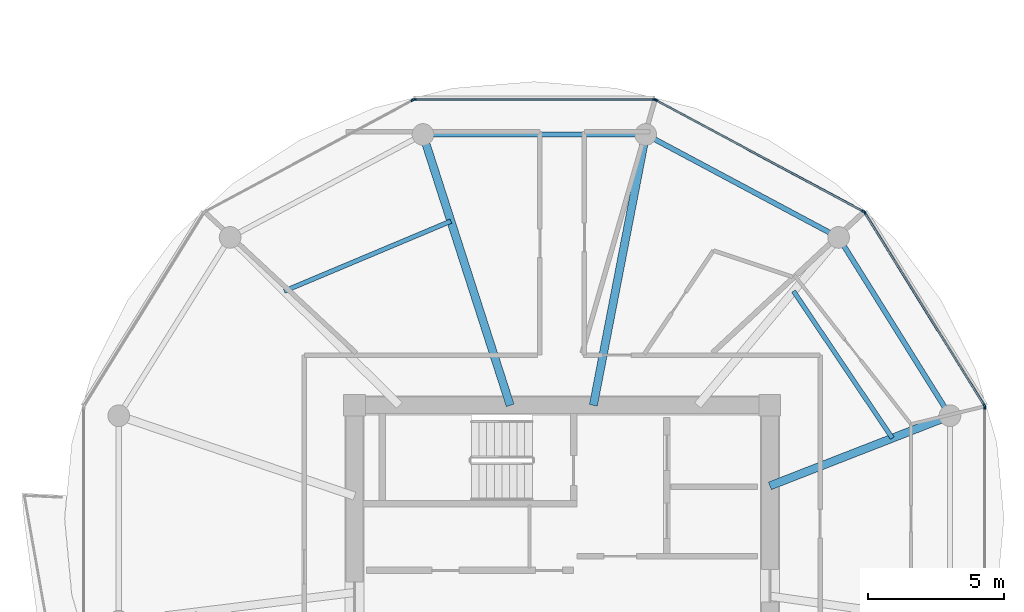
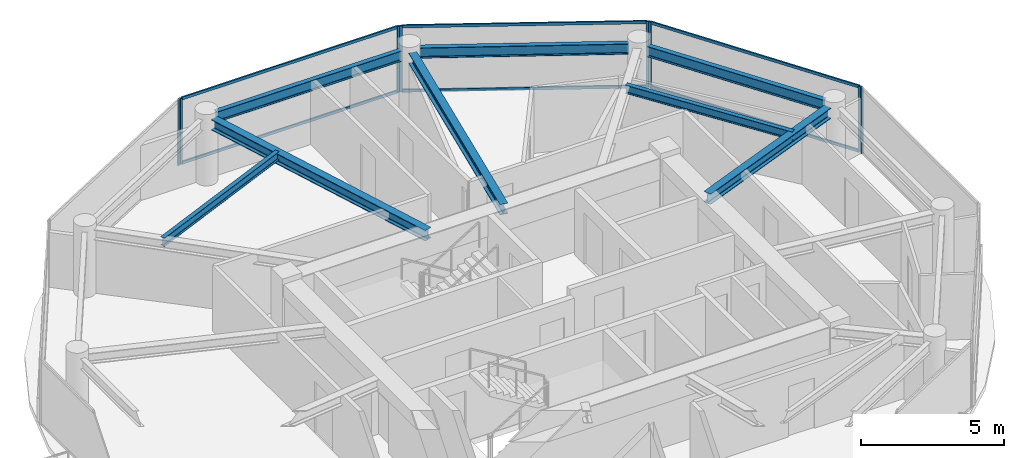
# One storey, part 10 of 21: 14 members, 8 beams, 5 elements without a shape of their own.
"""IFC4 building model written with IfcOpenShell, lengths in metres."""

from ifc_helpers import new_model, si_unit, direction, frame, origin, origin_2d, place, context, subcontext, project, spatial, rectangle, i_section, extrude, source, transform, mapped, material, layer, layer_set, material_profile, profile_set, type_object, type_shapes, element, aggregate, save


model = new_model("IFC4")

# Units and contexts
model_context = context("Model", 3, precision=1e-05, world=origin(), true_north=direction((0.0, 1.0)))
body_context = subcontext(model_context, "Body", "Model", "MODEL_VIEW")
ifc_project = project(units=[si_unit("LENGTHUNIT", "METRE"), si_unit("AREAUNIT", "SQUARE_METRE"), si_unit("VOLUMEUNIT", "CUBIC_METRE"), si_unit("PLANEANGLEUNIT", "RADIAN"), si_unit("MASSUNIT", "GRAM", prefix="KILO")], contexts=[model_context])

# Site, building, storey
site_placement = place(None, origin())
site = spatial("IfcSite", under=ifc_project, at=site_placement, CompositionType="ELEMENT")
building_placement = place(site_placement, origin())
building = spatial("IfcBuilding", under=site, at=building_placement, Name="Norrkilde Senior Care Towers", CompositionType="ELEMENT")
storey_placement = place(building_placement, frame((0.0, 0.0, 143.449951171875)))
storey = spatial("IfcBuildingStorey", under=building, at=storey_placement, Name="L44", CompositionType="ELEMENT", Elevation=143.449951171875)

# Beams
ifc_material_1 = material(Name="Steel S355", Category="steel")
ifc_material_profile_1 = material_profile(ifc_material_1, i_section(OverallWidth=0.18994140625, OverallDepth=0.449951171875, WebThickness=0.009521484375, FlangeThickness=0.0146484375, FilletRadius=0.02099609375, at=origin_2d()), Name="IPE 450")
ifc_profile_set_1 = profile_set([ifc_material_profile_1], Name="Steel S355")
beam_type_1 = type_object("IfcBeamType", Name="Perimeter Ring Spandrel Z3 IPE450", PredefinedType="SPANDREL", material=ifc_profile_set_1)
shared_shape_1 = source(origin(), body_context, "Body", "SweptSolid", [
    extrude(i_section(OverallWidth=0.18994140625, OverallDepth=0.449951171875, WebThickness=0.009521484375, FlangeThickness=0.0146484375, FilletRadius=0.02099609375, at=origin_2d()), origin(), (0.0, 0.0, 1.0), 7.0234375),
])
beam_1_placement = place(storey_placement, frame((42.09423828125, 5.872314453125, 2.5849609375), z_axis=(-0.529789577822, 0.848129119433, 0.0), x_axis=(-0.848129119433, -0.529789577822, 0.0)))
element("IfcBeam", 1, at=beam_1_placement, inside=storey, type_object=beam_type_1, Name="L44 Drum E Perimeter Spandrel 01", PredefinedType="SPANDREL", context=body_context, shape_type="MappedRepresentation", body=[
    mapped(shared_shape_1, transform((0.0, 0.0, 0.0), x_axis=(1.0, 0.0, 0.0), y_axis=(0.0, 1.0, 0.0), z_axis=(0.0, 0.0, 1.0), scale=1.0)),
])
shared_shape_2 = source(origin(), body_context, "Body", "SweptSolid", [
    extrude(i_section(OverallWidth=0.18994140625, OverallDepth=0.449951171875, WebThickness=0.009521484375, FlangeThickness=0.0146484375, FilletRadius=0.02099609375, at=origin_2d()), origin(), (0.0, 0.0, 1.0), 7.333740234375),
])
beam_2_placement = place(storey_placement, frame((37.864990234375, 12.303955078125, 2.5849609375), z_axis=(-0.882247866069, 0.470785198172, 0.0), x_axis=(-0.470785198172, -0.882247866069, 0.0)))
element("IfcBeam", 2, at=beam_2_placement, inside=storey, type_object=beam_type_1, Name="L44 Drum E Perimeter Spandrel 02", PredefinedType="SPANDREL", context=body_context, shape_type="MappedRepresentation", body=[
    mapped(shared_shape_2, transform((0.0, 0.0, 0.0), x_axis=(1.0, 0.0, 0.0), y_axis=(0.0, 1.0, 0.0), z_axis=(0.0, 0.0, 1.0), scale=1.0)),
])
shared_shape_3 = source(origin(), body_context, "Body", "SweptSolid", [
    extrude(i_section(OverallWidth=0.18994140625, OverallDepth=0.449951171875, WebThickness=0.009521484375, FlangeThickness=0.0146484375, FilletRadius=0.02099609375, at=origin_2d()), origin(), (0.0, 0.0, 1.0), 7.484619140625),
])
type_shapes(beam_type_1, [shared_shape_1, shared_shape_2, shared_shape_3])
beam_3_placement = place(storey_placement, frame((30.71728515625, 15.92626953125, 2.5849609375), z_axis=(-1.0, 0.0, 0.0), x_axis=(0.0, -1.0, 0.0)))
element("IfcBeam", 3, at=beam_3_placement, inside=storey, type_object=beam_type_1, Name="L44 Drum E Perimeter Spandrel 03", PredefinedType="SPANDREL", context=body_context, shape_type="MappedRepresentation", body=[
    mapped(shared_shape_3, transform((0.0, 0.0, 0.0), x_axis=(1.0, 0.0, 0.0), y_axis=(0.0, 1.0, 0.0), z_axis=(0.0, 0.0, 1.0), scale=1.0)),
])
ifc_material_profile_2 = material_profile(ifc_material_1, i_section(OverallWidth=0.300048828125, OverallDepth=0.449951171875, WebThickness=0.013916015625, FlangeThickness=0.02587890625, FilletRadius=0.027099609375, at=origin_2d()), Name="HEB 450")
ifc_profile_set_2 = profile_set([ifc_material_profile_2], Name="Steel S355")
beam_type_2 = type_object("IfcBeamType", Name="Radial Floor Beam Z3 HEB450", PredefinedType="BEAM", material=ifc_profile_set_2)
shared_shape_4 = source(origin(), body_context, "Body", "SweptSolid", [
    extrude(i_section(OverallWidth=0.300048828125, OverallDepth=0.449951171875, WebThickness=0.013916015625, FlangeThickness=0.02587890625, FilletRadius=0.027099609375, at=origin_2d()), origin(), (0.0, 0.0, 1.0), 10.120361328125),
])
beam_4_placement = place(storey_placement, frame((26.08447265625, 5.949951171875, 2.5849609375), z_axis=(-0.306440973744, 0.951889662519, 0.0), x_axis=(-0.951889662519, -0.306440973744, 0.0)))
element("IfcBeam", 4, at=beam_4_placement, inside=storey, type_object=beam_type_2, Name="L44 Drum E Radial Floor Beam 04", PredefinedType="BEAM", context=body_context, shape_type="MappedRepresentation", body=[
    mapped(shared_shape_4, transform((0.0, 0.0, 0.0), x_axis=(1.0, 0.0, 0.0), y_axis=(0.0, 1.0, 0.0), z_axis=(0.0, 0.0, 1.0), scale=1.0)),
])
shared_shape_5 = source(origin(), body_context, "Body", "SweptSolid", [
    extrude(i_section(OverallWidth=0.300048828125, OverallDepth=0.449951171875, WebThickness=0.013916015625, FlangeThickness=0.02587890625, FilletRadius=0.027099609375, at=origin_2d()), origin(), (0.0, 0.0, 1.0), 9.80078125),
])
beam_5_placement = place(storey_placement, frame((29.149658203125, 5.949951171875, 2.5849609375), z_axis=(0.189716727661, 0.98183886827, 0.0), x_axis=(-0.98183886827, 0.189716727661, 0.0)))
element("IfcBeam", 5, at=beam_5_placement, inside=storey, type_object=beam_type_2, Name="L44 Drum E Radial Floor Beam 03", PredefinedType="BEAM", context=body_context, shape_type="MappedRepresentation", body=[
    mapped(shared_shape_5, transform((0.0, 0.0, 0.0), x_axis=(1.0, 0.0, 0.0), y_axis=(0.0, 1.0, 0.0), z_axis=(0.0, 0.0, 1.0), scale=1.0)),
])
shared_shape_6 = source(origin(), body_context, "Body", "SweptSolid", [
    extrude(i_section(OverallWidth=0.300048828125, OverallDepth=0.449951171875, WebThickness=0.013916015625, FlangeThickness=0.02587890625, FilletRadius=0.027099609375, at=origin_2d()), origin(), (0.0, 0.0, 1.0), 6.760986328125),
])
type_shapes(beam_type_2, [shared_shape_4, shared_shape_5, shared_shape_6])
beam_6_placement = place(storey_placement, frame((35.64990234375, 2.981201171875, 2.5849609375), z_axis=(0.931742171387, 0.363120539297, 0.0), x_axis=(-0.363120539297, 0.931742171387, 0.0)))
element("IfcBeam", 6, at=beam_6_placement, inside=storey, type_object=beam_type_2, Name="L44 Drum E Radial Floor Beam 01", PredefinedType="BEAM", context=body_context, shape_type="MappedRepresentation", body=[
    mapped(shared_shape_6, transform((0.0, 0.0, 0.0), x_axis=(1.0, 0.0, 0.0), y_axis=(0.0, 1.0, 0.0), z_axis=(0.0, 0.0, 1.0), scale=1.0)),
])
ifc_material_profile_3 = material_profile(ifc_material_1, i_section(OverallWidth=0.169921875, OverallDepth=0.360107421875, WebThickness=0.008056640625, FlangeThickness=0.0126953125, FilletRadius=0.01806640625, at=origin_2d()), Name="IPE 360")
ifc_profile_set_3 = profile_set([ifc_material_profile_3], Name="Steel S355")
beam_type_3 = type_object("IfcBeamType", Name="Secondary Floor Joist IPE360", PredefinedType="JOIST", material=ifc_profile_set_3)
shared_shape_7 = source(origin(), body_context, "Body", "SweptSolid", [
    extrude(i_section(OverallWidth=0.169921875, OverallDepth=0.360107421875, WebThickness=0.008056640625, FlangeThickness=0.0126953125, FilletRadius=0.01806640625, at=origin_2d()), origin(), (0.0, 0.0, 1.0), 6.657470703125),
])
beam_7_placement = place(storey_placement, frame((23.900390625, 12.73388671875, 2.630126953125), z_axis=(-0.921958799252, -0.387287971, 0.0), x_axis=(0.387287971, -0.921958799252, 0.0)))
element("IfcBeam", 7, at=beam_7_placement, inside=storey, type_object=beam_type_3, Name="L44 Drum E Secondary Floor Joist 2", PredefinedType="JOIST", context=body_context, shape_type="MappedRepresentation", body=[
    mapped(shared_shape_7, transform((0.0, 0.0, 0.0), x_axis=(1.0, 0.0, 0.0), y_axis=(0.0, 1.0, 0.0), z_axis=(0.0, 0.0, 1.0), scale=1.0)),
])
shared_shape_8 = source(origin(), body_context, "Body", "SweptSolid", [
    extrude(i_section(OverallWidth=0.169921875, OverallDepth=0.360107421875, WebThickness=0.008056640625, FlangeThickness=0.0126953125, FilletRadius=0.01806640625, at=origin_2d()), origin(), (0.0, 0.0, 1.0), 6.525390625),
])
type_shapes(beam_type_3, [shared_shape_7, shared_shape_8])
beam_8_placement = place(storey_placement, frame((40.161865234375, 4.739501953125, 2.630126953125), z_axis=(-0.55779590102, 0.829978152005, 0.0), x_axis=(-0.829978152005, -0.55779590102, 0.0)))
element("IfcBeam", 8, at=beam_8_placement, inside=storey, type_object=beam_type_3, Name="L44 Drum E Secondary Floor Joist 1", PredefinedType="JOIST", context=body_context, shape_type="MappedRepresentation", body=[
    mapped(shared_shape_8, transform((0.0, 0.0, 0.0), x_axis=(1.0, 0.0, 0.0), y_axis=(0.0, 1.0, 0.0), z_axis=(0.0, 0.0, 1.0), scale=1.0)),
])

# Curtain wall, members
ifc_material_2 = material(Name="Triple Low-E Insulated Glazing", Category="glass")
ifc_layer = layer(ifc_material_2, 0.18994140625)
ifc_layer_set = layer_set([ifc_layer], Name="Triple Low-E Insulated Glazing")
curtain_wall_type = type_object("IfcCurtainWallType", Name="CW4 Zone 3 Senior Residence Curtain Wall", PredefinedType="NOTDEFINED", material=ifc_layer_set)
curtain_wall_1_placement = place(storey_placement, origin())
curtain_wall_1 = element("IfcCurtainWall", 9, at=curtain_wall_1_placement, inside=storey, type_object=curtain_wall_type, Name="L44 Drum E Curtain Wall 00", PredefinedType="NOTDEFINED")
ifc_material_3 = material(Name="Anodised Aluminium", Category="aluminium")
ifc_material_profile_4 = material_profile(ifc_material_3, rectangle(XDim=0.06494140625, YDim=0.14990234375, at=origin_2d()), Name="ALU MULL 65x150")
ifc_profile_set_4 = profile_set([ifc_material_profile_4], Name="Anodised Aluminium")
member_type_1 = type_object("IfcMemberType", Name="Curtain Wall Mullion Z3-Z4 65x150", PredefinedType="MULLION", material=ifc_profile_set_4)
shared_shape_9 = source(origin(), body_context, "Body", "SweptSolid", [
    extrude(rectangle(XDim=0.06494140625, YDim=0.14990234375, at=origin_2d()), origin(), (0.0, 0.0, 1.0), 2.81005859375),
])
type_shapes(member_type_1, [shared_shape_9])
member_1_placement = place(storey_placement, frame((39.14013671875, 13.04736328125, 0.0), z_axis=(0.0, 0.0, 1.0), x_axis=(0.84963405474, 0.52737270789, 0.0)))
member_1 = element("IfcMember", 10, at=member_1_placement, type_object=member_type_1, Name="CW-4 mullion 1", PredefinedType="MULLION", context=body_context, shape_type="MappedRepresentation", body=[
    mapped(shared_shape_9, transform((0.0, 0.0, 0.0), x_axis=(1.0, 0.0, 0.0), y_axis=(0.0, 1.0, 0.0), z_axis=(0.0, 0.0, 1.0), scale=1.0)),
])
member_2_placement = place(storey_placement, frame((43.552490234375, 5.93896484375, 0.0), z_axis=(0.0, 0.0, 1.0), x_axis=(0.84963405474, 0.52737270789, 0.0)))
member_2 = element("IfcMember", 11, at=member_2_placement, type_object=member_type_1, Name="CW-4 mullion 2", PredefinedType="MULLION", context=body_context, shape_type="MappedRepresentation", body=[
    mapped(shared_shape_9, transform((0.0, 0.0, 0.0), x_axis=(1.0, 0.0, 0.0), y_axis=(0.0, 1.0, 0.0), z_axis=(0.0, 0.0, 1.0), scale=1.0)),
])

curtain_wall_2_placement = place(storey_placement, origin())
curtain_wall_2 = element("IfcCurtainWall", 12, at=curtain_wall_2_placement, inside=storey, type_object=curtain_wall_type, Name="L44 Drum E Curtain Wall 01", PredefinedType="NOTDEFINED")
member_3_placement = place(storey_placement, frame((31.4501953125, 17.195556640625, 0.0), z_axis=(0.0, 0.0, 1.0), x_axis=(0.47311715104, 0.880999524059, 0.0)))
member_3 = element("IfcMember", 13, at=member_3_placement, type_object=member_type_1, Name="CW-4 mullion 1", PredefinedType="MULLION", context=body_context, shape_type="MappedRepresentation", body=[
    mapped(shared_shape_9, transform((0.0, 0.0, 0.0), x_axis=(1.0, 0.0, 0.0), y_axis=(0.0, 1.0, 0.0), z_axis=(0.0, 0.0, 1.0), scale=1.0)),
])
member_4_placement = place(storey_placement, frame((39.094482421875, 13.09033203125, 0.0), z_axis=(0.0, 0.0, 1.0), x_axis=(0.47311715104, 0.880999524059, 0.0)))
member_4 = element("IfcMember", 14, at=member_4_placement, type_object=member_type_1, Name="CW-4 mullion 2", PredefinedType="MULLION", context=body_context, shape_type="MappedRepresentation", body=[
    mapped(shared_shape_9, transform((0.0, 0.0, 0.0), x_axis=(1.0, 0.0, 0.0), y_axis=(0.0, 1.0, 0.0), z_axis=(0.0, 0.0, 1.0), scale=1.0)),
])

curtain_wall_3_placement = place(storey_placement, origin())
curtain_wall_3 = element("IfcCurtainWall", 15, at=curtain_wall_3_placement, inside=storey, type_object=curtain_wall_type, Name="L44 Drum E Curtain Wall 02", PredefinedType="NOTDEFINED")
member_5_placement = place(storey_placement, frame((22.56103515625, 17.2109375, 0.0), z_axis=(0.0, 0.0, 1.0), x_axis=(0.0, 1.0, 0.0)))
member_5 = element("IfcMember", 16, at=member_5_placement, type_object=member_type_1, Name="CW-4 mullion 1", PredefinedType="MULLION", context=body_context, shape_type="MappedRepresentation", body=[
    mapped(shared_shape_9, transform((0.0, 0.0, 0.0), x_axis=(1.0, 0.0, 0.0), y_axis=(0.0, 1.0, 0.0), z_axis=(0.0, 0.0, 1.0), scale=1.0)),
])
member_6_placement = place(storey_placement, frame((31.388916015625, 17.2109375, 0.0), z_axis=(0.0, 0.0, 1.0), x_axis=(0.0, 1.0, 0.0)))
member_6 = element("IfcMember", 17, at=member_6_placement, type_object=member_type_1, Name="CW-4 mullion 2", PredefinedType="MULLION", context=body_context, shape_type="MappedRepresentation", body=[
    mapped(shared_shape_9, transform((0.0, 0.0, 0.0), x_axis=(1.0, 0.0, 0.0), y_axis=(0.0, 1.0, 0.0), z_axis=(0.0, 0.0, 1.0), scale=1.0)),
])

# Curtain wall, member
curtain_wall_4_placement = place(storey_placement, origin())
curtain_wall_4 = element("IfcCurtainWall", 18, at=curtain_wall_4_placement, inside=storey, type_object=curtain_wall_type, Name="L44 Drum E Curtain Wall 03", PredefinedType="NOTDEFINED")
member_7_placement = place(storey_placement, frame((22.499755859375, 17.195556640625, 0.0), z_axis=(0.0, 0.0, 1.0), x_axis=(-0.47311715104, 0.880999524059, 0.0)))
member_7 = element("IfcMember", 19, at=member_7_placement, type_object=member_type_1, Name="CW-4 mullion 2", PredefinedType="MULLION", context=body_context, shape_type="MappedRepresentation", body=[
    mapped(shared_shape_9, transform((0.0, 0.0, 0.0), x_axis=(1.0, 0.0, 0.0), y_axis=(0.0, 1.0, 0.0), z_axis=(0.0, 0.0, 1.0), scale=1.0)),
])
aggregate(curtain_wall_4, [member_7])

curtain_wall_5_placement = place(storey_placement, origin())
curtain_wall_5 = element("IfcCurtainWall", 20, at=curtain_wall_5_placement, inside=storey, type_object=curtain_wall_type, Name="L44 Drum E Curtain Wall 11", PredefinedType="NOTDEFINED")
member_8_placement = place(storey_placement, frame((43.569580078125, 5.878662109375, 0.0), z_axis=(0.0, 0.0, 1.0), x_axis=(1.0, 0.0, 0.0)))
member_8 = element("IfcMember", 21, at=member_8_placement, type_object=member_type_1, Name="CW-4 mullion 1", PredefinedType="MULLION", context=body_context, shape_type="MappedRepresentation", body=[
    mapped(shared_shape_9, transform((0.0, 0.0, 0.0), x_axis=(1.0, 0.0, 0.0), y_axis=(0.0, 1.0, 0.0), z_axis=(0.0, 0.0, 1.0), scale=1.0)),
])
aggregate(curtain_wall_5, [member_8])

# Member
ifc_material_profile_5 = material_profile(ifc_material_3, rectangle(XDim=0.06005859375, YDim=0.1201171875, at=origin_2d()), Name="ALU TRAN 60x120")
ifc_profile_set_5 = profile_set([ifc_material_profile_5], Name="Anodised Aluminium")
member_type_2 = type_object("IfcMemberType", Name="Curtain Wall Transom Typical 60x120", PredefinedType="USERDEFINED", material=ifc_profile_set_5)
shared_shape_10 = source(origin(), body_context, "Body", "SweptSolid", [
    extrude(rectangle(XDim=0.06005859375, YDim=0.1201171875, at=origin_2d()), origin(), (0.0, 0.0, 1.0), 8.301513671875),
])
member_9_placement = place(storey_placement, frame((39.157470703125, 13.019775390625, 0.030029296875), z_axis=(0.527368718394, -0.849636531029, 0.0), x_axis=(0.849636531029, 0.527368718394, 0.0)))
member_9 = element("IfcMember", 22, at=member_9_placement, type_object=member_type_2, Name="CW-4 transom 1.1", ObjectType="TRANSOM", PredefinedType="USERDEFINED", context=body_context, shape_type="MappedRepresentation", body=[
    mapped(shared_shape_10, transform((0.0, 0.0, 0.0), x_axis=(1.0, 0.0, 0.0), y_axis=(0.0, 1.0, 0.0), z_axis=(0.0, 0.0, 1.0), scale=1.0)),
])

member_10_placement = place(storey_placement, frame((39.157470703125, 13.019775390625, 2.780029296875), z_axis=(0.527368718394, -0.849636531029, 0.0), x_axis=(0.849636531029, 0.527368718394, 0.0)))
member_10 = element("IfcMember", 23, at=member_10_placement, type_object=member_type_2, Name="CW-4 transom 1.2", ObjectType="TRANSOM", PredefinedType="USERDEFINED", context=body_context, shape_type="MappedRepresentation", body=[
    mapped(shared_shape_10, transform((0.0, 0.0, 0.0), x_axis=(1.0, 0.0, 0.0), y_axis=(0.0, 1.0, 0.0), z_axis=(0.0, 0.0, 1.0), scale=1.0)),
])

aggregate(curtain_wall_1, [member_1, member_2, member_9, member_10])

shared_shape_11 = source(origin(), body_context, "Body", "SweptSolid", [
    extrude(rectangle(XDim=0.06005859375, YDim=0.1201171875, at=origin_2d()), origin(), (0.0, 0.0, 1.0), 8.762939453125),
])
member_11_placement = place(storey_placement, frame((22.593505859375, 17.2109375, 0.030029296875), z_axis=(1.0, 0.0, 0.0), x_axis=(0.0, 1.0, 0.0)))
member_11 = element("IfcMember", 24, at=member_11_placement, type_object=member_type_2, Name="CW-4 transom 1.1", ObjectType="TRANSOM", PredefinedType="USERDEFINED", context=body_context, shape_type="MappedRepresentation", body=[
    mapped(shared_shape_11, transform((0.0, 0.0, 0.0), x_axis=(1.0, 0.0, 0.0), y_axis=(0.0, 1.0, 0.0), z_axis=(0.0, 0.0, 1.0), scale=1.0)),
])

member_12_placement = place(storey_placement, frame((22.593505859375, 17.2109375, 2.780029296875), z_axis=(1.0, 0.0, 0.0), x_axis=(0.0, 1.0, 0.0)))
member_12 = element("IfcMember", 25, at=member_12_placement, type_object=member_type_2, Name="CW-4 transom 1.2", ObjectType="TRANSOM", PredefinedType="USERDEFINED", context=body_context, shape_type="MappedRepresentation", body=[
    mapped(shared_shape_11, transform((0.0, 0.0, 0.0), x_axis=(1.0, 0.0, 0.0), y_axis=(0.0, 1.0, 0.0), z_axis=(0.0, 0.0, 1.0), scale=1.0)),
])

aggregate(curtain_wall_3, [member_5, member_6, member_11, member_12])

shared_shape_12 = source(origin(), body_context, "Body", "SweptSolid", [
    extrude(rectangle(XDim=0.06005859375, YDim=0.1201171875, at=origin_2d()), origin(), (0.0, 0.0, 1.0), 8.612060546875),
])
type_shapes(member_type_2, [shared_shape_10, shared_shape_11, shared_shape_12])
member_13_placement = place(storey_placement, frame((31.478759765625, 17.18017578125, 0.030029296875), z_axis=(0.881000337462, -0.473115636384, 0.0), x_axis=(0.473115636384, 0.881000337462, 0.0)))
member_13 = element("IfcMember", 26, at=member_13_placement, type_object=member_type_2, Name="CW-4 transom 1.1", ObjectType="TRANSOM", PredefinedType="USERDEFINED", context=body_context, shape_type="MappedRepresentation", body=[
    mapped(shared_shape_12, transform((0.0, 0.0, 0.0), x_axis=(1.0, 0.0, 0.0), y_axis=(0.0, 1.0, 0.0), z_axis=(0.0, 0.0, 1.0), scale=1.0)),
])

member_14_placement = place(storey_placement, frame((31.478759765625, 17.18017578125, 2.780029296875), z_axis=(0.881000337462, -0.473115636384, 0.0), x_axis=(0.473115636384, 0.881000337462, 0.0)))
member_14 = element("IfcMember", 27, at=member_14_placement, type_object=member_type_2, Name="CW-4 transom 1.2", ObjectType="TRANSOM", PredefinedType="USERDEFINED", context=body_context, shape_type="MappedRepresentation", body=[
    mapped(shared_shape_12, transform((0.0, 0.0, 0.0), x_axis=(1.0, 0.0, 0.0), y_axis=(0.0, 1.0, 0.0), z_axis=(0.0, 0.0, 1.0), scale=1.0)),
])

aggregate(curtain_wall_2, [member_3, member_4, member_13, member_14])

save(model, "model.ifc")
